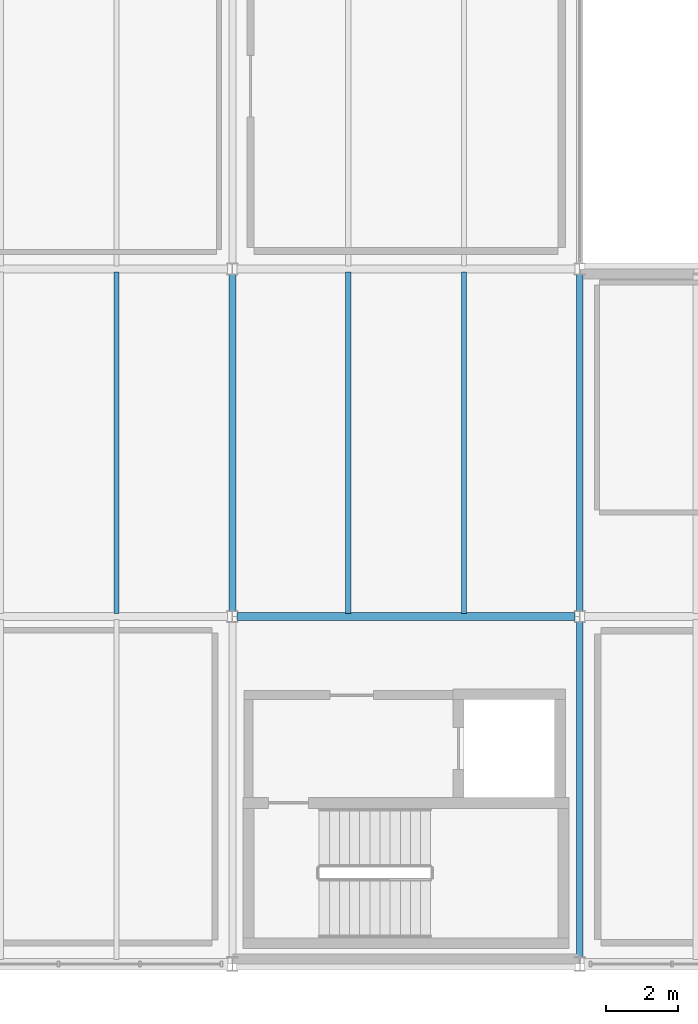
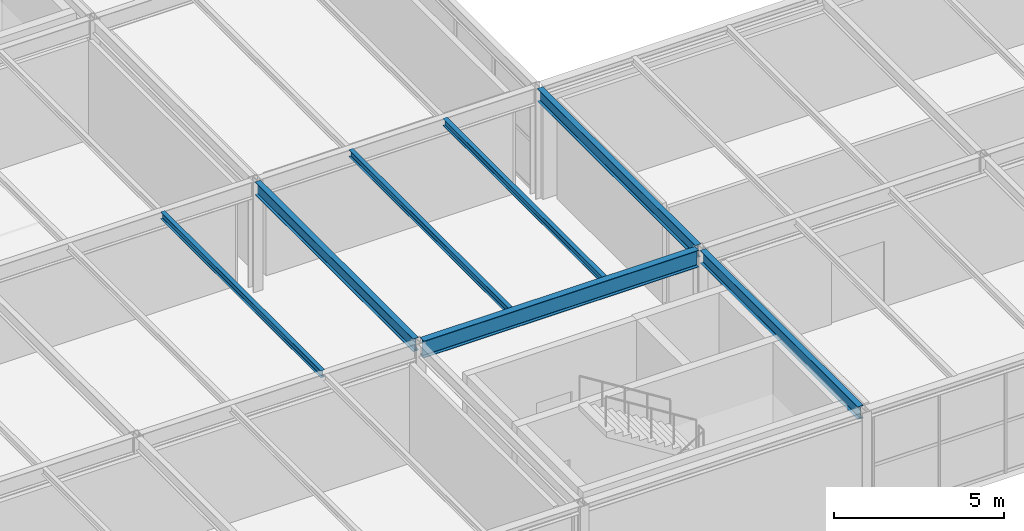
# One storey, part 15 of 126: 7 beams.
"""IFC4 building model written with IfcOpenShell, lengths in metres."""

import ifcopenshell
import ifcopenshell.guid

model = None  # the IFC model being written
_history = None  # IfcOwnerHistory: only IFC2X3 demands one
_inside = {}  # id of a spatial element -> (the spatial element, [elements in it])
_under = {}  # id of a project, library or spatial element -> (it, [spatial elements below it])
_declared = {}  # id of a project -> (the project, [libraries it declares])
_typed = {}  # id of a type object -> (the type object, [elements of that type])
_made_of = {}  # id of a material, layer set ... -> (it, [elements and type objects made of it])


def new_model(schema):
    """Start an empty IFC model of exactly this schema.

    Asked for "IFC4X3", IfcOpenShell would pick the latest addendum, in which some entities
    have other attributes; the version numbers below select the first issue.
    IFC2X3 requires an IfcOwnerHistory on every rooted entity: one is made here for all.
    """
    global model, _history
    if schema == "IFC4X3":
        model = ifcopenshell.file(schema_version=(4, 3, 0, 0))
    else:
        model = ifcopenshell.file(schema=schema)
    _inside.clear()
    _under.clear()
    _declared.clear()
    _typed.clear()
    _made_of.clear()
    _history = None
    if model.schema == "IFC2X3":
        org = make("IfcOrganization", Name="unknown")
        user = make(
            "IfcPersonAndOrganization",
            ThePerson=make("IfcPerson", FamilyName="unknown"),
            TheOrganization=org,
        )
        app = make(
            "IfcApplication",
            ApplicationDeveloper=org,
            Version="unknown",
            ApplicationFullName="unknown",
            ApplicationIdentifier="unknown",
        )
        _history = make(
            "IfcOwnerHistory",
            OwningUser=user,
            OwningApplication=app,
            ChangeAction="ADDED",
            CreationDate=0,
        )
    return model


def make(cls, **values):
    """One entity of the class cls with the attributes given. An attribute that is None is left unset."""
    return model.create_entity(
        cls, **{name: value for name, value in values.items() if value is not None}
    )


def rooted(cls, **values):
    """An entity with a GlobalId (a new one), such as an element, a storey or a relation."""
    return make(cls, GlobalId=ifcopenshell.guid.new(), OwnerHistory=_history, **values)


def si_unit(unit_type, name, prefix=None):
    """IfcSIUnit, for example si_unit("LENGTHUNIT", "METRE", prefix="MILLI")."""
    return make("IfcSIUnit", UnitType=unit_type, Prefix=prefix, Name=name)


def assignment(units):
    """IfcUnitAssignment: the units of a project."""
    return None if units is None else make("IfcUnitAssignment", Units=units)


def point(xyz):
    """IfcCartesianPoint."""
    return None if xyz is None else make("IfcCartesianPoint", Coordinates=xyz)


def direction(xyz):
    """IfcDirection."""
    return None if xyz is None else make("IfcDirection", DirectionRatios=xyz)


def frame(location, z_axis=None, x_axis=None):
    """IfcAxis2Placement3D, a coordinate frame: its origin and axes. An axis left out is left unset."""
    return make(
        "IfcAxis2Placement3D",
        Location=point(location),
        Axis=direction(z_axis),
        RefDirection=direction(x_axis),
    )


def frame_2d(location, x_axis=None):
    """IfcAxis2Placement2D, a coordinate frame in the plane: its origin and x axis."""
    return make(
        "IfcAxis2Placement2D", Location=point(location), RefDirection=direction(x_axis)
    )


def origin():
    """The frame at (0, 0, 0) with its axes left unset."""
    return frame((0.0, 0.0, 0.0))


def origin_2d():
    """The frame at (0, 0) in the plane with its x axis left unset."""
    return frame_2d((0.0, 0.0))


def place(relative_to, where):
    """IfcLocalPlacement: puts the frame where relative to a parent placement (None: the world)."""
    return make(
        "IfcLocalPlacement", PlacementRelTo=relative_to, RelativePlacement=where
    )


def context(
    kind, dimensions, precision=None, world=None, true_north=None, identifier=None
):
    """IfcGeometricRepresentationContext, for example the 3D "Model" context."""
    return make(
        "IfcGeometricRepresentationContext",
        ContextIdentifier=identifier,
        ContextType=kind,
        CoordinateSpaceDimension=dimensions,
        Precision=precision,
        WorldCoordinateSystem=world,
        TrueNorth=true_north,
    )


def subcontext(parent, identifier, kind, view, scale=None):
    """IfcGeometricRepresentationSubContext, for example "Body" below "Model"."""
    return make(
        "IfcGeometricRepresentationSubContext",
        ContextIdentifier=identifier,
        ContextType=kind,
        ParentContext=parent,
        TargetScale=scale,
        TargetView=view,
    )


def project(units=None, contexts=None):
    """IfcProject with its units and contexts."""
    return rooted(
        "IfcProject",
        Name="project",
        RepresentationContexts=contexts,
        UnitsInContext=assignment(units),
    )


def spatial(cls, under=None, at=None, **own):
    """A site, building, storey or space (cls), placed at a placement, below another one or the project."""
    s = rooted(cls, ObjectPlacement=at, **own)
    if under is not None:
        _under.setdefault(under.id(), (under, []))[1].append(s)
    return s


def profile(cls, at=None, kind="AREA", **sizes):
    """A parametric profile (cls). Its sizes go by their IFC names, for example OverallWidth=200.0."""
    return make(cls, ProfileType=kind, Position=at, **sizes)


def i_section(**sizes):
    """IfcIShapeProfileDef."""
    return profile("IfcIShapeProfileDef", **sizes)


def extrude(swept, where, along, depth):
    """IfcExtrudedAreaSolid: the profile swept, set in the frame where, extruded along a direction by depth."""
    return make(
        "IfcExtrudedAreaSolid",
        SweptArea=swept,
        Position=where,
        ExtrudedDirection=direction(along),
        Depth=depth,
    )


def shape(context_of_items, identifier, shape_type, items):
    """IfcShapeRepresentation: the items that make up one representation, for example the "Body"."""
    return make(
        "IfcShapeRepresentation",
        ContextOfItems=context_of_items,
        RepresentationIdentifier=identifier,
        RepresentationType=shape_type,
        Items=items,
    )


def material(Name=None, Category=None):
    """IfcMaterial."""
    return make("IfcMaterial", Name=Name, Category=Category)


def material_profile(
    of_material, cross_section, Name=None, Category=None, Priority=None
):
    """IfcMaterialProfile: a cross section and its material."""
    return make(
        "IfcMaterialProfile",
        Name=Name,
        Material=of_material,
        Profile=cross_section,
        Priority=Priority,
        Category=Category,
    )


def profile_set(profiles, Name=None, composite=None):
    """IfcMaterialProfileSet."""
    return make(
        "IfcMaterialProfileSet",
        Name=Name,
        MaterialProfiles=profiles,
        CompositeProfile=composite,
    )


def made_of(thing, what):
    """Note that an element or type object is made of a material, layer set ...; save() writes the relation."""
    if what is not None:
        _made_of.setdefault(what.id(), (what, []))[1].append(thing)
    return thing


def type_object(cls, material=None, **own):
    """A type object (cls), such as IfcWallType, which elements share."""
    return made_of(rooted(cls, **own), material)


def element(
    cls,
    number,
    at=None,
    inside=None,
    cuts=None,
    type_object=None,
    material=None,
    context=None,
    identifier="Body",
    shape_type=None,
    held_by="IfcProductDefinitionShape",
    body=None,
    shapes=None,
    **own,
):
    """One element of the class cls, such as IfcWall. Its Tag is "e" and its number.

    at: its placement. inside: the storey or other place that contains it. cuts: it is an
    opening in that element (IfcRelVoidsElement). A single representation is given by context,
    identifier, shape_type and body (its items); several are given by shapes. held_by: the class
    of the entity that holds the representations. save() writes the other relations.
    """
    e = rooted(cls, Tag="e%d" % number, ObjectPlacement=at, **own)
    if body is not None:
        shapes = [shape(context, identifier, shape_type, body)]
    if shapes is not None:
        e.Representation = make(held_by, Representations=shapes)
    if inside is not None:
        _inside.setdefault(inside.id(), (inside, []))[1].append(e)
    if cuts is not None:
        rooted(
            "IfcRelVoidsElement", RelatingBuildingElement=cuts, RelatedOpeningElement=e
        )
    if type_object is not None:
        _typed.setdefault(type_object.id(), (type_object, []))[1].append(e)
    return made_of(e, material)


def aggregate(whole, parts):
    """IfcRelAggregates: a whole, such as a stair, and the parts it consists of."""
    return rooted("IfcRelAggregates", RelatingObject=whole, RelatedObjects=parts)


def save(model, path):
    """Write the relations noted so far, then the file.

    IfcRelAggregates (storeys below a building ...), IfcRelContainedInSpatialStructure (elements
    in a storey), IfcRelDefinesByType, IfcRelAssociatesMaterial and IfcRelDeclares: one each for
    every whole, place, type object, material and project.
    """
    for whole, parts in _under.values():
        aggregate(whole, parts)
    for where, things in _inside.values():
        rooted(
            "IfcRelContainedInSpatialStructure",
            RelatedElements=things,
            RelatingStructure=where,
        )
    for kind, things in _typed.values():
        rooted("IfcRelDefinesByType", RelatedObjects=things, RelatingType=kind)
    for what, things in _made_of.values():
        rooted("IfcRelAssociatesMaterial", RelatedObjects=things, RelatingMaterial=what)
    for by, libraries in _declared.values():
        rooted("IfcRelDeclares", RelatingContext=by, RelatedDefinitions=libraries)
    model.write(path)


model = new_model("IFC4")

# Units and contexts
model_context = context("Model", 3, precision=1e-05, world=origin(), true_north=direction((0.0, 1.0)))
body_context = subcontext(model_context, "Body", "Model", "MODEL_VIEW")
ifc_project = project(units=[si_unit("LENGTHUNIT", "METRE"), si_unit("AREAUNIT", "SQUARE_METRE"), si_unit("VOLUMEUNIT", "CUBIC_METRE"), si_unit("PLANEANGLEUNIT", "RADIAN"), si_unit("MASSUNIT", "GRAM", prefix="KILO")], contexts=[model_context])

# Site, building, storey
site_placement = place(None, origin())
site = spatial("IfcSite", under=ifc_project, at=site_placement, CompositionType="ELEMENT")
building_placement = place(site_placement, origin())
building = spatial("IfcBuilding", under=site, at=building_placement, Name="Coralgate Yard Interchange", CompositionType="ELEMENT")
storey_placement = place(building_placement, frame((0.0, 0.0, 10.5)))
storey = spatial("IfcBuildingStorey", under=building, at=storey_placement, Name="L02", CompositionType="ELEMENT", Elevation=10.5)

# Beams
ifc_material = material(Name="Structural steel S355J2", Category="steel")
ifc_material_profile_1 = material_profile(ifc_material, i_section(OverallWidth=0.1904296875, OverallDepth=0.45703125, WebThickness=0.009033203125, FlangeThickness=0.014404296875, FilletRadius=0.01025390625, at=origin_2d()), Name="UB 457x191x74")
ifc_profile_set_1 = profile_set([ifc_material_profile_1], Name="Structural steel S355J2")
beam_type_1 = type_object("IfcBeamType", Name="BM-SB-2", PredefinedType="BEAM", material=ifc_profile_set_1)
beam_1_placement = place(storey_placement, frame((19.199951171875, 9.739990234375, 3.721435546875), z_axis=(0.0, 1.0, 0.0), x_axis=(-1.0, 0.0, 0.0)))
element("IfcBeam", 1, at=beam_1_placement, inside=storey, type_object=beam_type_1, Name="L02 primary grid girder X2 Y1-2", PredefinedType="BEAM", context=body_context, shape_type="SweptSolid", body=[
    extrude(i_section(OverallWidth=0.1904296875, OverallDepth=0.45703125, WebThickness=0.009033203125, FlangeThickness=0.014404296875, FilletRadius=0.01025390625, at=origin_2d()), origin(), (0.0, 0.0, 1.0), 9.320068359375),
])
beam_2_placement = place(storey_placement, frame((28.800048828125, 0.169921875, 3.721435546875), z_axis=(0.0, 1.0, 0.0), x_axis=(-1.0, 0.0, 0.0)))
element("IfcBeam", 2, at=beam_2_placement, inside=storey, type_object=beam_type_1, Name="L02 primary grid girder X3 Y0-1", PredefinedType="BEAM", context=body_context, shape_type="SweptSolid", body=[
    extrude(i_section(OverallWidth=0.1904296875, OverallDepth=0.45703125, WebThickness=0.009033203125, FlangeThickness=0.014404296875, FilletRadius=0.01025390625, at=origin_2d()), origin(), (0.0, 0.0, 1.0), 9.2900390625),
])
beam_3_placement = place(storey_placement, frame((28.800048828125, 9.739990234375, 3.721435546875), z_axis=(0.0, 1.0, 0.0), x_axis=(-1.0, 0.0, 0.0)))
element("IfcBeam", 3, at=beam_3_placement, inside=storey, type_object=beam_type_1, Name="L02 primary grid girder X3 Y1-2", PredefinedType="BEAM", context=body_context, shape_type="SweptSolid", body=[
    extrude(i_section(OverallWidth=0.1904296875, OverallDepth=0.45703125, WebThickness=0.009033203125, FlangeThickness=0.014404296875, FilletRadius=0.01025390625, at=origin_2d()), origin(), (0.0, 0.0, 1.0), 9.320068359375),
])
ifc_material_profile_2 = material_profile(ifc_material, i_section(OverallWidth=0.228271484375, OverallDepth=0.607666015625, WebThickness=0.010986328125, FlangeThickness=0.017333984375, FilletRadius=0.0126953125, at=origin_2d()), Name="UB 610x229x113")
ifc_profile_set_2 = profile_set([ifc_material_profile_2], Name="Structural steel S355J2")
beam_type_2 = type_object("IfcBeamType", Name="BM-SG-5", PredefinedType="BEAM", material=ifc_profile_set_2)
beam_4_placement = place(storey_placement, frame((19.3271484375, 9.60009765625, 3.646240234375), z_axis=(1.0, 0.0, 0.0), x_axis=(0.0, 1.0, 0.0)))
element("IfcBeam", 4, at=beam_4_placement, inside=storey, type_object=beam_type_2, Name="L02 primary grid beam Y1 X2-3", PredefinedType="BEAM", context=body_context, shape_type="SweptSolid", body=[
    extrude(i_section(OverallWidth=0.228271484375, OverallDepth=0.607666015625, WebThickness=0.010986328125, FlangeThickness=0.017333984375, FilletRadius=0.0126953125, at=origin_2d()), origin(), (0.0, 0.0, 1.0), 9.345458984375),
])
ifc_material_profile_3 = material_profile(ifc_material, i_section(OverallWidth=0.14599609375, OverallDepth=0.25146484375, WebThickness=0.006103515625, FlangeThickness=0.008544921875, FilletRadius=0.007568359375, at=origin_2d()), Name="UB 254x146x31")
ifc_profile_set_3 = profile_set([ifc_material_profile_3], Name="Structural steel S355J2")
beam_type_3 = type_object("IfcBeamType", Name="BM-SJ-2", PredefinedType="JOIST", material=ifc_profile_set_3)
for number, where, z_axis, x_axis, name in (
    (5, (16.0, 9.68408203125, 3.82421875), (0.0, 1.0, 0.0), (-1.0, 0.0, 0.0), "L02 composite floor joist 1-1-2"),
    (6, (22.39990234375, 9.68408203125, 3.82421875), (0.0, 1.0, 0.0), (-1.0, 0.0, 0.0), "L02 composite floor joist 2-1-1"),
    (7, (25.60009765625, 9.68408203125, 3.82421875), (0.0, 1.0, 0.0), (-1.0, 0.0, 0.0), "L02 composite floor joist 2-1-2"),
):
    element("IfcBeam", number, at=place(storey_placement, frame(where, z_axis=z_axis, x_axis=x_axis)), inside=storey, type_object=beam_type_3, Name=name, PredefinedType="JOIST", context=body_context, shape_type="SweptSolid", body=[
        extrude(i_section(OverallWidth=0.14599609375, OverallDepth=0.25146484375, WebThickness=0.006103515625, FlangeThickness=0.008544921875, FilletRadius=0.007568359375, at=origin_2d()), origin(), (0.0, 0.0, 1.0), 9.431884765625),
    ])

save(model, "model.ifc")
